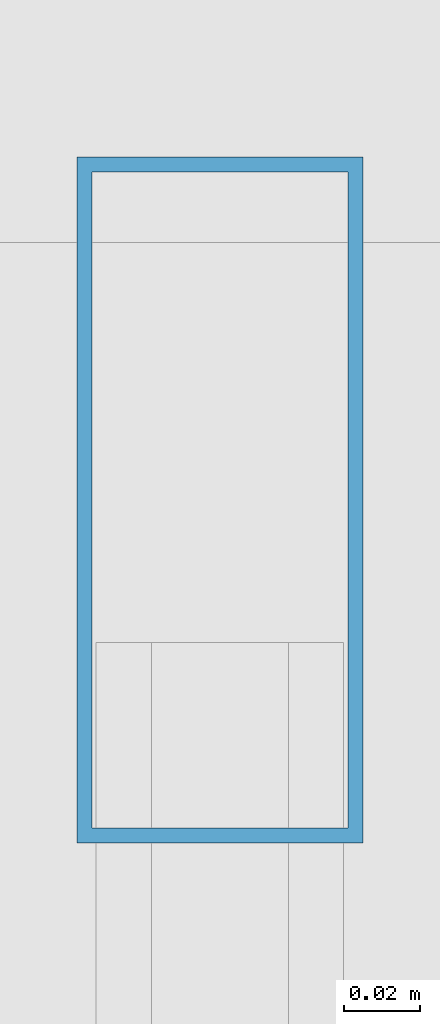
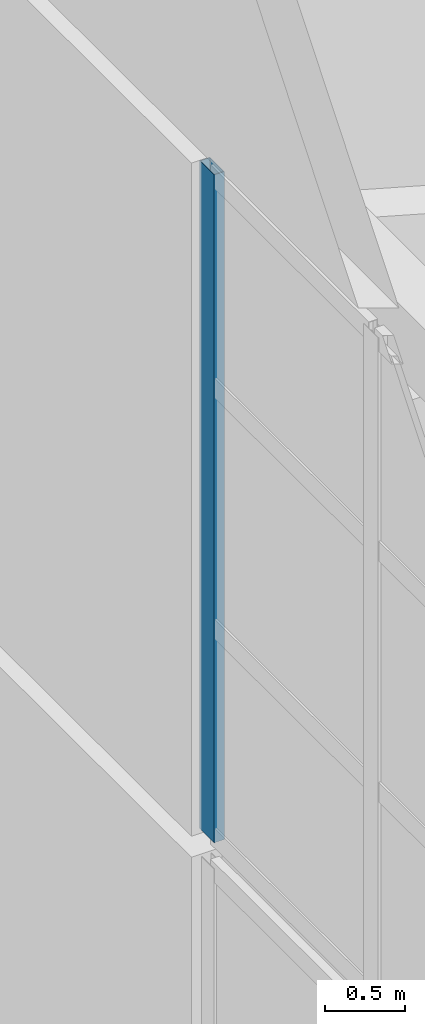
# One storey, part 21 of 47: 1 member, 1 element without a shape of its own.
"""IFC4 building model written with IfcOpenShell, lengths in metres."""

from ifc_helpers import new_model, si_unit, direction, frame, origin, origin_2d, place, context, subcontext, project, spatial, hollow_rectangle, extrude, material, layer, layer_set, material_profile, profile_set, type_object, element, aggregate, save


model = new_model("IFC4")

# Units and contexts
model_context = context("Model", 3, precision=1e-05, world=origin(), true_north=direction((0.0, 1.0)))
body_context = subcontext(model_context, "Body", "Model", "MODEL_VIEW")
ifc_project = project(units=[si_unit("LENGTHUNIT", "METRE"), si_unit("AREAUNIT", "SQUARE_METRE"), si_unit("VOLUMEUNIT", "CUBIC_METRE"), si_unit("PLANEANGLEUNIT", "RADIAN"), si_unit("MASSUNIT", "GRAM", prefix="KILO")], contexts=[model_context])

# Site, building, storey
site_placement = place(None, origin())
site = spatial("IfcSite", under=ifc_project, at=site_placement, CompositionType="ELEMENT")
building_placement = place(site_placement, origin())
building = spatial("IfcBuilding", under=site, at=building_placement, Name="Qiaolan Cultural Towers", CompositionType="ELEMENT")
storey_placement = place(building_placement, frame((0.0, 0.0, 280.199951171875)))
storey = spatial("IfcBuildingStorey", under=building, at=storey_placement, Name="RF", CompositionType="ELEMENT", Elevation=280.199951171875)

# Curtain wall, member
ifc_material_1 = material(Name="Unitized Anodized Aluminium Curtain Wall System", Category="aluminium")
ifc_layer = layer(ifc_material_1, 0.199951171875)
ifc_layer_set = layer_set([ifc_layer], Name="Unitized Anodized Aluminium Curtain Wall System")
curtain_wall_type = type_object("IfcCurtainWallType", Name="CWS-06", PredefinedType="NOTDEFINED", material=ifc_layer_set)
curtain_wall_placement = place(storey_placement, origin())
curtain_wall = element("IfcCurtainWall", 1, at=curtain_wall_placement, inside=storey, type_object=curtain_wall_type, Name="T1 Crown Tier 5 Fritted Screen Curtain Wall 7", PredefinedType="NOTDEFINED")
ifc_material_2 = material(Name="Extruded Aluminium 6063-T6", Category="aluminium")
ifc_material_profile = material_profile(ifc_material_2, hollow_rectangle(XDim=0.074951171875, YDim=0.179931640625, WallThickness=0.00390625, at=origin_2d()), Name="CWM-180x75x4")
ifc_profile_set = profile_set([ifc_material_profile], Name="Extruded Aluminium 6063-T6")
member_type = type_object("IfcMemberType", Name="CWS-06-MUL", PredefinedType="MULLION", material=ifc_profile_set)
member_placement = place(storey_placement, frame((14.949951171875, 40.232421875, 21.300048828125), z_axis=(0.0, 0.0, 1.0), x_axis=(1.0, 0.0, 0.0)))
member = element("IfcMember", 2, at=member_placement, type_object=member_type, Name="CW-6 mullion 1", PredefinedType="MULLION", context=body_context, shape_type="SweptSolid", body=[
    extrude(hollow_rectangle(XDim=0.074951171875, YDim=0.179931640625, WallThickness=0.00390625, at=origin_2d()), origin(), (0.0, 0.0, 1.0), 5.10009765625),
])
aggregate(curtain_wall, [member])

save(model, "model.ifc")
